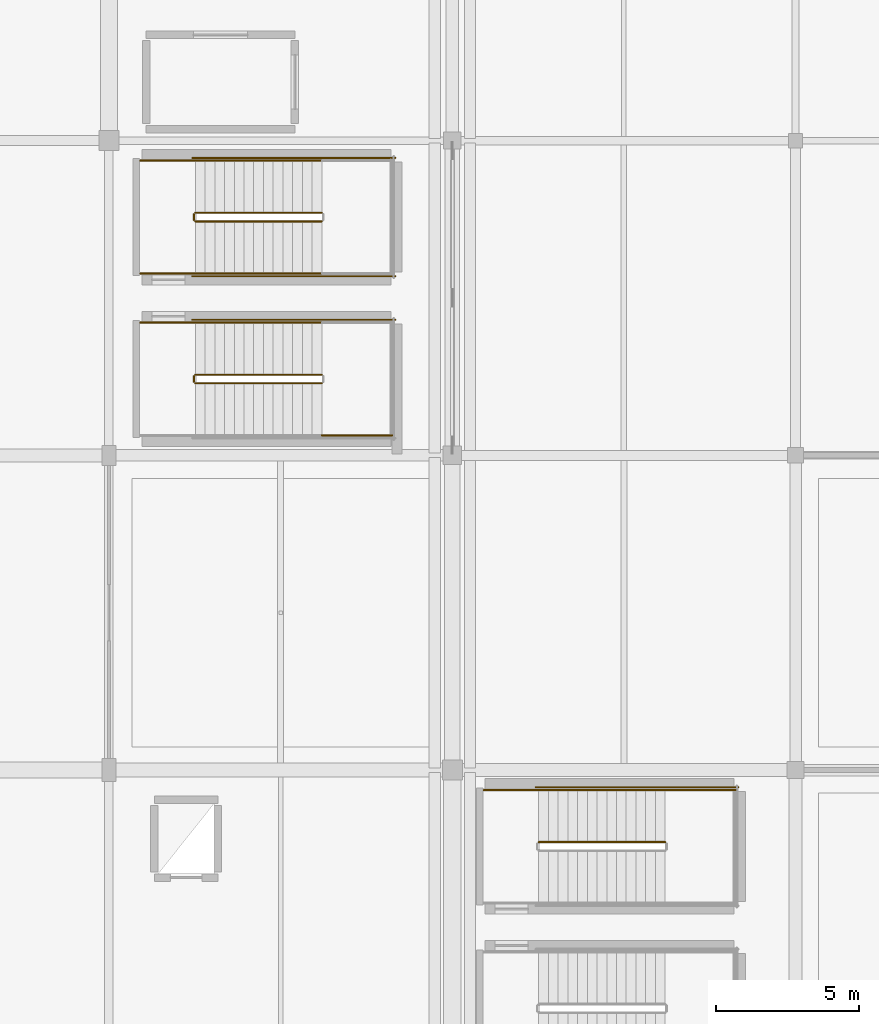
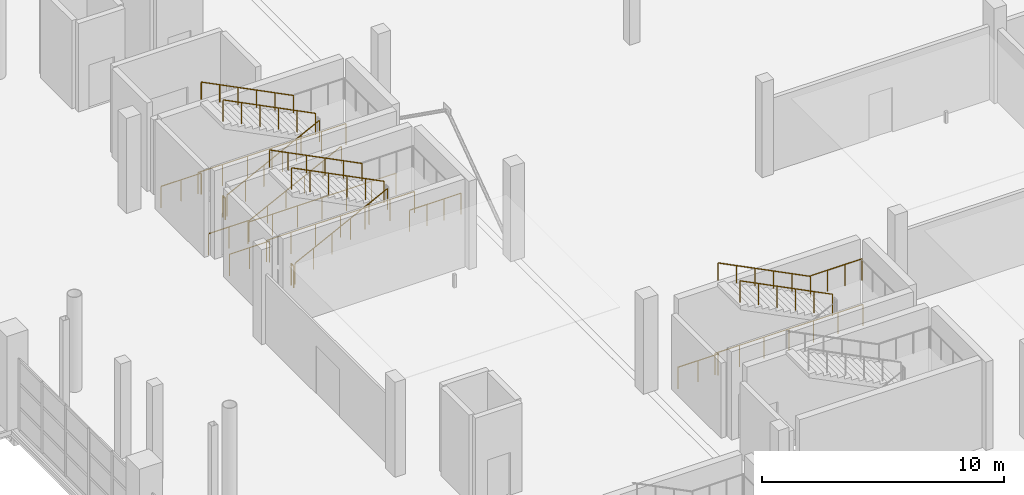
# One storey, part 140 of 143: 21 railings.
"""IFC4 building model written with IfcOpenShell, lengths in metres."""

import ifcopenshell
import ifcopenshell.guid

model = None  # the IFC model being written
_history = None  # IfcOwnerHistory: only IFC2X3 demands one
_inside = {}  # id of a spatial element -> (the spatial element, [elements in it])
_under = {}  # id of a project, library or spatial element -> (it, [spatial elements below it])
_declared = {}  # id of a project -> (the project, [libraries it declares])
_typed = {}  # id of a type object -> (the type object, [elements of that type])
_made_of = {}  # id of a material, layer set ... -> (it, [elements and type objects made of it])


def new_model(schema):
    """Start an empty IFC model of exactly this schema.

    Asked for "IFC4X3", IfcOpenShell would pick the latest addendum, in which some entities
    have other attributes; the version numbers below select the first issue.
    IFC2X3 requires an IfcOwnerHistory on every rooted entity: one is made here for all.
    """
    global model, _history
    if schema == "IFC4X3":
        model = ifcopenshell.file(schema_version=(4, 3, 0, 0))
    else:
        model = ifcopenshell.file(schema=schema)
    _inside.clear()
    _under.clear()
    _declared.clear()
    _typed.clear()
    _made_of.clear()
    _history = None
    if model.schema == "IFC2X3":
        org = make("IfcOrganization", Name="unknown")
        user = make(
            "IfcPersonAndOrganization",
            ThePerson=make("IfcPerson", FamilyName="unknown"),
            TheOrganization=org,
        )
        app = make(
            "IfcApplication",
            ApplicationDeveloper=org,
            Version="unknown",
            ApplicationFullName="unknown",
            ApplicationIdentifier="unknown",
        )
        _history = make(
            "IfcOwnerHistory",
            OwningUser=user,
            OwningApplication=app,
            ChangeAction="ADDED",
            CreationDate=0,
        )
    return model


def make(cls, **values):
    """One entity of the class cls with the attributes given. An attribute that is None is left unset."""
    return model.create_entity(
        cls, **{name: value for name, value in values.items() if value is not None}
    )


def rooted(cls, **values):
    """An entity with a GlobalId (a new one), such as an element, a storey or a relation."""
    return make(cls, GlobalId=ifcopenshell.guid.new(), OwnerHistory=_history, **values)


def si_unit(unit_type, name, prefix=None):
    """IfcSIUnit, for example si_unit("LENGTHUNIT", "METRE", prefix="MILLI")."""
    return make("IfcSIUnit", UnitType=unit_type, Prefix=prefix, Name=name)


def assignment(units):
    """IfcUnitAssignment: the units of a project."""
    return None if units is None else make("IfcUnitAssignment", Units=units)


def point(xyz):
    """IfcCartesianPoint."""
    return None if xyz is None else make("IfcCartesianPoint", Coordinates=xyz)


def direction(xyz):
    """IfcDirection."""
    return None if xyz is None else make("IfcDirection", DirectionRatios=xyz)


def frame(location, z_axis=None, x_axis=None):
    """IfcAxis2Placement3D, a coordinate frame: its origin and axes. An axis left out is left unset."""
    return make(
        "IfcAxis2Placement3D",
        Location=point(location),
        Axis=direction(z_axis),
        RefDirection=direction(x_axis),
    )


def frame_2d(location, x_axis=None):
    """IfcAxis2Placement2D, a coordinate frame in the plane: its origin and x axis."""
    return make(
        "IfcAxis2Placement2D", Location=point(location), RefDirection=direction(x_axis)
    )


def origin():
    """The frame at (0, 0, 0) with its axes left unset."""
    return frame((0.0, 0.0, 0.0))


def origin_2d():
    """The frame at (0, 0) in the plane with its x axis left unset."""
    return frame_2d((0.0, 0.0))


def place(relative_to, where):
    """IfcLocalPlacement: puts the frame where relative to a parent placement (None: the world)."""
    return make(
        "IfcLocalPlacement", PlacementRelTo=relative_to, RelativePlacement=where
    )


def context(
    kind, dimensions, precision=None, world=None, true_north=None, identifier=None
):
    """IfcGeometricRepresentationContext, for example the 3D "Model" context."""
    return make(
        "IfcGeometricRepresentationContext",
        ContextIdentifier=identifier,
        ContextType=kind,
        CoordinateSpaceDimension=dimensions,
        Precision=precision,
        WorldCoordinateSystem=world,
        TrueNorth=true_north,
    )


def subcontext(parent, identifier, kind, view, scale=None):
    """IfcGeometricRepresentationSubContext, for example "Body" below "Model"."""
    return make(
        "IfcGeometricRepresentationSubContext",
        ContextIdentifier=identifier,
        ContextType=kind,
        ParentContext=parent,
        TargetScale=scale,
        TargetView=view,
    )


def project(units=None, contexts=None):
    """IfcProject with its units and contexts."""
    return rooted(
        "IfcProject",
        Name="project",
        RepresentationContexts=contexts,
        UnitsInContext=assignment(units),
    )


def spatial(cls, under=None, at=None, **own):
    """A site, building, storey or space (cls), placed at a placement, below another one or the project."""
    s = rooted(cls, ObjectPlacement=at, **own)
    if under is not None:
        _under.setdefault(under.id(), (under, []))[1].append(s)
    return s


def profile(cls, at=None, kind="AREA", **sizes):
    """A parametric profile (cls). Its sizes go by their IFC names, for example OverallWidth=200.0."""
    return make(cls, ProfileType=kind, Position=at, **sizes)


def circle(**sizes):
    """IfcCircleProfileDef."""
    return profile("IfcCircleProfileDef", **sizes)


def extrude(swept, where, along, depth):
    """IfcExtrudedAreaSolid: the profile swept, set in the frame where, extruded along a direction by depth."""
    return make(
        "IfcExtrudedAreaSolid",
        SweptArea=swept,
        Position=where,
        ExtrudedDirection=direction(along),
        Depth=depth,
    )


def shape(context_of_items, identifier, shape_type, items):
    """IfcShapeRepresentation: the items that make up one representation, for example the "Body"."""
    return make(
        "IfcShapeRepresentation",
        ContextOfItems=context_of_items,
        RepresentationIdentifier=identifier,
        RepresentationType=shape_type,
        Items=items,
    )


def material(Name=None, Category=None):
    """IfcMaterial."""
    return make("IfcMaterial", Name=Name, Category=Category)


def made_of(thing, what):
    """Note that an element or type object is made of a material, layer set ...; save() writes the relation."""
    if what is not None:
        _made_of.setdefault(what.id(), (what, []))[1].append(thing)
    return thing


def type_object(cls, material=None, **own):
    """A type object (cls), such as IfcWallType, which elements share."""
    return made_of(rooted(cls, **own), material)


def element(
    cls,
    number,
    at=None,
    inside=None,
    cuts=None,
    type_object=None,
    material=None,
    context=None,
    identifier="Body",
    shape_type=None,
    held_by="IfcProductDefinitionShape",
    body=None,
    shapes=None,
    **own,
):
    """One element of the class cls, such as IfcWall. Its Tag is "e" and its number.

    at: its placement. inside: the storey or other place that contains it. cuts: it is an
    opening in that element (IfcRelVoidsElement). A single representation is given by context,
    identifier, shape_type and body (its items); several are given by shapes. held_by: the class
    of the entity that holds the representations. save() writes the other relations.
    """
    e = rooted(cls, Tag="e%d" % number, ObjectPlacement=at, **own)
    if body is not None:
        shapes = [shape(context, identifier, shape_type, body)]
    if shapes is not None:
        e.Representation = make(held_by, Representations=shapes)
    if inside is not None:
        _inside.setdefault(inside.id(), (inside, []))[1].append(e)
    if cuts is not None:
        rooted(
            "IfcRelVoidsElement", RelatingBuildingElement=cuts, RelatedOpeningElement=e
        )
    if type_object is not None:
        _typed.setdefault(type_object.id(), (type_object, []))[1].append(e)
    return made_of(e, material)


def aggregate(whole, parts):
    """IfcRelAggregates: a whole, such as a stair, and the parts it consists of."""
    return rooted("IfcRelAggregates", RelatingObject=whole, RelatedObjects=parts)


def save(model, path):
    """Write the relations noted so far, then the file.

    IfcRelAggregates (storeys below a building ...), IfcRelContainedInSpatialStructure (elements
    in a storey), IfcRelDefinesByType, IfcRelAssociatesMaterial and IfcRelDeclares: one each for
    every whole, place, type object, material and project.
    """
    for whole, parts in _under.values():
        aggregate(whole, parts)
    for where, things in _inside.values():
        rooted(
            "IfcRelContainedInSpatialStructure",
            RelatedElements=things,
            RelatingStructure=where,
        )
    for kind, things in _typed.values():
        rooted("IfcRelDefinesByType", RelatedObjects=things, RelatingType=kind)
    for what, things in _made_of.values():
        rooted("IfcRelAssociatesMaterial", RelatedObjects=things, RelatingMaterial=what)
    for by, libraries in _declared.values():
        rooted("IfcRelDeclares", RelatingContext=by, RelatedDefinitions=libraries)
    model.write(path)


model = new_model("IFC4")

# Units and contexts
model_context = context("Model", 3, precision=1e-05, world=origin(), true_north=direction((0.0, 1.0)))
body_context = subcontext(model_context, "Body", "Model", "MODEL_VIEW")
ifc_project = project(units=[si_unit("LENGTHUNIT", "METRE"), si_unit("AREAUNIT", "SQUARE_METRE"), si_unit("VOLUMEUNIT", "CUBIC_METRE"), si_unit("PLANEANGLEUNIT", "RADIAN"), si_unit("MASSUNIT", "GRAM", prefix="KILO")], contexts=[model_context])

# Site, building, storey
site_placement = place(None, origin())
site = spatial("IfcSite", under=ifc_project, at=site_placement, CompositionType="ELEMENT")
building_placement = place(site_placement, origin())
building = spatial("IfcBuilding", under=site, at=building_placement, Name="Luwafu Chhajja Arena", CompositionType="ELEMENT")
storey_placement = place(building_placement, frame((0.0, 0.0, 5.39990234375)))
storey = spatial("IfcBuildingStorey", under=building, at=storey_placement, Name="L01", CompositionType="ELEMENT", Elevation=5.39990234375)

# Railings
ifc_material_1 = material(Name="Stainless steel handrail", Category="steel")
railing_type_1 = type_object("IfcRailingType", Name="Stair Pitch Wall Handrail 920", PredefinedType="HANDRAIL", material=ifc_material_1)
railing_1_placement = place(storey_placement, frame((159.43994140625, 81.639892578125, 2.571533203125)))
element("IfcRailing", 1, at=railing_1_placement, inside=storey, type_object=railing_type_1, Name="L01 ST-07 stair handrail 2", PredefinedType="HANDRAIL", context=body_context, shape_type="SweptSolid", body=[
    extrude(circle(Radius=0.02392578125, at=origin_2d()), frame((0.0, 0.0, 0.8759765625), z_axis=(-0.89292277971, 0.0, 0.450209850486), x_axis=(0.0, -1.0, 0.0)), (0.0, 0.0, 1.0), 4.949951171875),
    extrude(circle(Radius=0.02099609375, at=origin_2d()), origin(), (0.0, 0.0, 1.0), 0.851806640625),
    extrude(circle(Radius=0.02099609375, at=origin_2d()), frame((-0.884033203125, 0.0, 0.44580078125)), (0.0, 0.0, 1.0), 0.851806640625),
    extrude(circle(Radius=0.02099609375, at=origin_2d()), frame((-1.76806640625, 0.0, 0.891357421875)), (0.0, 0.0, 1.0), 0.851806640625),
    extrude(circle(Radius=0.02099609375, at=origin_2d()), frame((-2.65185546875, 0.0, 1.337158203125)), (0.0, 0.0, 1.0), 0.851806640625),
    extrude(circle(Radius=0.02099609375, at=origin_2d()), frame((-3.535888671875, 0.0, 1.78271484375)), (0.0, 0.0, 1.0), 0.851806640625),
    extrude(circle(Radius=0.02099609375, at=origin_2d()), frame((-4.419921875, 0.0, 2.228515625)), (0.0, 0.0, 1.0), 0.851806640625),
])
railing_2_placement = place(storey_placement, frame((155.02001953125, 83.360107421875, 0.171630859375)))
element("IfcRailing", 2, at=railing_2_placement, inside=storey, type_object=railing_type_1, Name="L01 ST-08 stair handrail 1", PredefinedType="HANDRAIL", context=body_context, shape_type="SweptSolid", body=[
    extrude(circle(Radius=0.02392578125, at=origin_2d()), frame((0.0, 0.0, 0.8759765625), z_axis=(0.89292277971, 0.0, 0.450209850486), x_axis=(0.0, 1.0, 0.0)), (0.0, 0.0, 1.0), 4.949951171875),
    extrude(circle(Radius=0.02099609375, at=origin_2d()), origin(), (0.0, 0.0, 1.0), 0.851806640625),
    extrude(circle(Radius=0.02099609375, at=origin_2d()), frame((0.884033203125, 0.0, 0.44580078125)), (0.0, 0.0, 1.0), 0.851806640625),
    extrude(circle(Radius=0.02099609375, at=origin_2d()), frame((1.76806640625, 0.0, 0.891357421875)), (0.0, 0.0, 1.0), 0.851806640625),
    extrude(circle(Radius=0.02099609375, at=origin_2d()), frame((2.65185546875, 0.0, 1.337158203125)), (0.0, 0.0, 1.0), 0.851806640625),
    extrude(circle(Radius=0.02099609375, at=origin_2d()), frame((3.535888671875, 0.0, 1.78271484375)), (0.0, 0.0, 1.0), 0.851806640625),
    extrude(circle(Radius=0.02099609375, at=origin_2d()), frame((4.419921875, 0.0, 2.228515625)), (0.0, 0.0, 1.0), 0.851806640625),
])
for number, where, name in (
    (3, (159.43994140625, 87.300048828125, 2.571533203125), "L01 ST-08 stair handrail 2"),
    (4, (171.43994140625, 65.300048828125, 2.571533203125), "L01 ST-20 stair handrail 2"),
):
    element("IfcRailing", number, at=place(storey_placement, frame(where)), inside=storey, type_object=railing_type_1, Name=name, PredefinedType="HANDRAIL", context=body_context, shape_type="SweptSolid", body=[
        extrude(circle(Radius=0.02392578125, at=origin_2d()), frame((0.0, 0.0, 0.8759765625), z_axis=(-0.89292277971, 0.0, 0.450209850486), x_axis=(0.0, -1.0, 0.0)), (0.0, 0.0, 1.0), 4.949951171875),
        extrude(circle(Radius=0.02099609375, at=origin_2d()), origin(), (0.0, 0.0, 1.0), 0.851806640625),
        extrude(circle(Radius=0.02099609375, at=origin_2d()), frame((-0.884033203125, 0.0, 0.44580078125)), (0.0, 0.0, 1.0), 0.851806640625),
        extrude(circle(Radius=0.02099609375, at=origin_2d()), frame((-1.76806640625, 0.0, 0.891357421875)), (0.0, 0.0, 1.0), 0.851806640625),
        extrude(circle(Radius=0.02099609375, at=origin_2d()), frame((-2.65185546875, 0.0, 1.337158203125)), (0.0, 0.0, 1.0), 0.851806640625),
        extrude(circle(Radius=0.02099609375, at=origin_2d()), frame((-3.535888671875, 0.0, 1.78271484375)), (0.0, 0.0, 1.0), 0.851806640625),
        extrude(circle(Radius=0.02099609375, at=origin_2d()), frame((-4.419921875, 0.0, 2.228515625)), (0.0, 0.0, 1.0), 0.851806640625),
    ])
ifc_material_2 = material(Name="Stainless steel balustrade", Category="steel")
railing_type_2 = type_object("IfcRailingType", Name="Stair and Terrace Guard Balustrade 1100", PredefinedType="BALUSTRADE", material=ifc_material_2)
railing_3_placement = place(storey_placement, frame((155.02001953125, 79.52001953125, 0.171630859375)))
element("IfcRailing", 5, at=railing_3_placement, inside=storey, type_object=railing_type_2, Name="L01 ST-07 stair guard 1", PredefinedType="BALUSTRADE", context=body_context, shape_type="SweptSolid", body=[
    extrude(circle(Radius=0.02392578125, at=origin_2d()), frame((0.0, 0.0, 1.076171875), z_axis=(0.89292277971, 0.0, 0.450209850486), x_axis=(0.0, 1.0, 0.0)), (0.0, 0.0, 1.0), 4.949951171875),
    extrude(circle(Radius=0.02099609375, at=origin_2d()), origin(), (0.0, 0.0, 1.0), 1.052001953125),
    extrude(circle(Radius=0.02099609375, at=origin_2d()), frame((0.884033203125, 0.0, 0.44580078125)), (0.0, 0.0, 1.0), 1.052001953125),
    extrude(circle(Radius=0.02099609375, at=origin_2d()), frame((1.76806640625, 0.0, 0.891357421875)), (0.0, 0.0, 1.0), 1.052001953125),
    extrude(circle(Radius=0.02099609375, at=origin_2d()), frame((2.65185546875, 0.0, 1.337158203125)), (0.0, 0.0, 1.0), 1.052001953125),
    extrude(circle(Radius=0.02099609375, at=origin_2d()), frame((3.535888671875, 0.0, 1.78271484375)), (0.0, 0.0, 1.0), 1.052001953125),
    extrude(circle(Radius=0.02099609375, at=origin_2d()), frame((4.419921875, 0.0, 2.228515625)), (0.0, 0.0, 1.0), 1.052001953125),
])
railing_4_placement = place(storey_placement, frame((159.43994140625, 77.699951171875, 2.400146484375)))
element("IfcRailing", 6, at=railing_4_placement, inside=storey, type_object=railing_type_2, Name="L01 ST-07 stair guard 3", PredefinedType="BALUSTRADE", context=body_context, shape_type="SweptSolid", body=[
    extrude(circle(Radius=0.02392578125, at=origin_2d()), frame((0.0, 0.0, 1.076171875), z_axis=(1.0, 0.0, 0.0), x_axis=(0.0, 1.0, 0.0)), (0.0, 0.0, 1.0), 2.4599609375),
    extrude(circle(Radius=0.02099609375, at=origin_2d()), origin(), (0.0, 0.0, 1.0), 1.052001953125),
    extrude(circle(Radius=0.02099609375, at=origin_2d()), frame((0.820068359375, 0.0, 0.0)), (0.0, 0.0, 1.0), 1.052001953125),
    extrude(circle(Radius=0.02099609375, at=origin_2d()), frame((1.639892578125, 0.0, 0.0)), (0.0, 0.0, 1.0), 1.052001953125),
    extrude(circle(Radius=0.02099609375, at=origin_2d()), frame((2.4599609375, 0.0, 0.0)), (0.0, 0.0, 1.0), 1.052001953125),
])
railing_5_placement = place(storey_placement, frame((159.43994140625, 79.820068359375, 2.571533203125)))
element("IfcRailing", 7, at=railing_5_placement, inside=storey, type_object=railing_type_2, Name="L01 ST-07 stair guard 6", PredefinedType="BALUSTRADE", context=body_context, shape_type="SweptSolid", body=[
    extrude(circle(Radius=0.02392578125, at=origin_2d()), frame((0.0, 0.0, 1.076171875), z_axis=(-0.89292277971, 0.0, 0.450209850486), x_axis=(0.0, -1.0, 0.0)), (0.0, 0.0, 1.0), 4.949951171875),
    extrude(circle(Radius=0.02099609375, at=origin_2d()), origin(), (0.0, 0.0, 1.0), 1.052001953125),
    extrude(circle(Radius=0.02099609375, at=origin_2d()), frame((-0.884033203125, 0.0, 0.44580078125)), (0.0, 0.0, 1.0), 1.052001953125),
    extrude(circle(Radius=0.02099609375, at=origin_2d()), frame((-1.76806640625, 0.0, 0.891357421875)), (0.0, 0.0, 1.0), 1.052001953125),
    extrude(circle(Radius=0.02099609375, at=origin_2d()), frame((-2.65185546875, 0.0, 1.337158203125)), (0.0, 0.0, 1.0), 1.052001953125),
    extrude(circle(Radius=0.02099609375, at=origin_2d()), frame((-3.535888671875, 0.0, 1.78271484375)), (0.0, 0.0, 1.0), 1.052001953125),
    extrude(circle(Radius=0.02099609375, at=origin_2d()), frame((-4.419921875, 0.0, 2.228515625)), (0.0, 0.0, 1.0), 1.052001953125),
])
railing_6_placement = place(storey_placement, frame((154.969970703125, 79.570068359375, 0.0)))
element("IfcRailing", 8, at=railing_6_placement, inside=storey, type_object=railing_type_2, Name="L01 ST-07 stair guard 7", PredefinedType="BALUSTRADE", context=body_context, shape_type="SweptSolid", body=[
    extrude(circle(Radius=0.02392578125, at=origin_2d()), frame((0.0, 0.0, 1.076171875), z_axis=(0.0, 1.0, 0.0), x_axis=(-1.0, 0.0, 0.0)), (0.0, 0.0, 1.0), 0.199951171875),
    extrude(circle(Radius=0.02099609375, at=origin_2d()), origin(), (0.0, 0.0, 1.0), 1.052001953125),
    extrude(circle(Radius=0.02099609375, at=origin_2d()), frame((0.0, 0.199951171875, 0.0)), (0.0, 0.0, 1.0), 1.052001953125),
])
railing_7_placement = place(storey_placement, frame((153.10009765625, 81.639892578125, 0.0)))
element("IfcRailing", 9, at=railing_7_placement, inside=storey, type_object=railing_type_2, Name="L01 ST-07 stair guard 9", PredefinedType="BALUSTRADE", context=body_context, shape_type="SweptSolid", body=[
    extrude(circle(Radius=0.02392578125, at=origin_2d()), frame((0.0, 0.0, 1.076171875), z_axis=(1.0, 0.0, 0.0), x_axis=(0.0, 1.0, 0.0)), (0.0, 0.0, 1.0), 1.919921875),
    extrude(circle(Radius=0.02099609375, at=origin_2d()), origin(), (0.0, 0.0, 1.0), 1.052001953125),
    extrude(circle(Radius=0.02099609375, at=origin_2d()), frame((0.9599609375, 0.0, 0.0)), (0.0, 0.0, 1.0), 1.052001953125),
    extrude(circle(Radius=0.02099609375, at=origin_2d()), frame((1.919921875, 0.0, 0.0)), (0.0, 0.0, 1.0), 1.052001953125),
])
railing_8_placement = place(storey_placement, frame((154.919921875, 81.739990234375, 0.0)))
element("IfcRailing", 10, at=railing_8_placement, inside=storey, type_object=railing_type_2, Name="L01 ST-07 stair guard 11", PredefinedType="BALUSTRADE", context=body_context, shape_type="SweptSolid", body=[
    extrude(circle(Radius=0.02392578125, at=origin_2d()), frame((0.0, 0.0, 1.076171875), z_axis=(1.0, 0.0, 0.0), x_axis=(0.0, 1.0, 0.0)), (0.0, 0.0, 1.0), 7.080078125),
    extrude(circle(Radius=0.02099609375, at=origin_2d()), origin(), (0.0, 0.0, 1.0), 1.052001953125),
    extrude(circle(Radius=0.02099609375, at=origin_2d()), frame((1.179931640625, 0.0, 0.0)), (0.0, 0.0, 1.0), 1.052001953125),
    extrude(circle(Radius=0.02099609375, at=origin_2d()), frame((2.360107421875, 0.0, 0.0)), (0.0, 0.0, 1.0), 1.052001953125),
    extrude(circle(Radius=0.02099609375, at=origin_2d()), frame((3.5400390625, 0.0, 0.0)), (0.0, 0.0, 1.0), 1.052001953125),
    extrude(circle(Radius=0.02099609375, at=origin_2d()), frame((4.719970703125, 0.0, 0.0)), (0.0, 0.0, 1.0), 1.052001953125),
    extrude(circle(Radius=0.02099609375, at=origin_2d()), frame((5.900146484375, 0.0, 0.0)), (0.0, 0.0, 1.0), 1.052001953125),
    extrude(circle(Radius=0.02099609375, at=origin_2d()), frame((7.080078125, 0.0, 0.0)), (0.0, 0.0, 1.0), 1.052001953125),
])
railing_9_placement = place(storey_placement, frame((155.02001953125, 85.179931640625, 0.171630859375)))
element("IfcRailing", 11, at=railing_9_placement, inside=storey, type_object=railing_type_2, Name="L01 ST-08 stair guard 1", PredefinedType="BALUSTRADE", context=body_context, shape_type="SweptSolid", body=[
    extrude(circle(Radius=0.02392578125, at=origin_2d()), frame((0.0, 0.0, 1.076171875), z_axis=(0.89292277971, 0.0, 0.450209850486), x_axis=(0.0, 1.0, 0.0)), (0.0, 0.0, 1.0), 4.949951171875),
    extrude(circle(Radius=0.02099609375, at=origin_2d()), origin(), (0.0, 0.0, 1.0), 1.052001953125),
    extrude(circle(Radius=0.02099609375, at=origin_2d()), frame((0.884033203125, 0.0, 0.44580078125)), (0.0, 0.0, 1.0), 1.052001953125),
    extrude(circle(Radius=0.02099609375, at=origin_2d()), frame((1.76806640625, 0.0, 0.891357421875)), (0.0, 0.0, 1.0), 1.052001953125),
    extrude(circle(Radius=0.02099609375, at=origin_2d()), frame((2.65185546875, 0.0, 1.337158203125)), (0.0, 0.0, 1.0), 1.052001953125),
    extrude(circle(Radius=0.02099609375, at=origin_2d()), frame((3.535888671875, 0.0, 1.78271484375)), (0.0, 0.0, 1.0), 1.052001953125),
    extrude(circle(Radius=0.02099609375, at=origin_2d()), frame((4.419921875, 0.0, 2.228515625)), (0.0, 0.0, 1.0), 1.052001953125),
])
railing_10_placement = place(storey_placement, frame((159.43994140625, 85.47998046875, 2.571533203125)))
element("IfcRailing", 12, at=railing_10_placement, inside=storey, type_object=railing_type_2, Name="L01 ST-08 stair guard 6", PredefinedType="BALUSTRADE", context=body_context, shape_type="SweptSolid", body=[
    extrude(circle(Radius=0.02392578125, at=origin_2d()), frame((0.0, 0.0, 1.076171875), z_axis=(-0.89292277971, 0.0, 0.450209850486), x_axis=(0.0, -1.0, 0.0)), (0.0, 0.0, 1.0), 4.949951171875),
    extrude(circle(Radius=0.02099609375, at=origin_2d()), origin(), (0.0, 0.0, 1.0), 1.052001953125),
    extrude(circle(Radius=0.02099609375, at=origin_2d()), frame((-0.884033203125, 0.0, 0.44580078125)), (0.0, 0.0, 1.0), 1.052001953125),
    extrude(circle(Radius=0.02099609375, at=origin_2d()), frame((-1.76806640625, 0.0, 0.891357421875)), (0.0, 0.0, 1.0), 1.052001953125),
    extrude(circle(Radius=0.02099609375, at=origin_2d()), frame((-2.65185546875, 0.0, 1.337158203125)), (0.0, 0.0, 1.0), 1.052001953125),
    extrude(circle(Radius=0.02099609375, at=origin_2d()), frame((-3.535888671875, 0.0, 1.78271484375)), (0.0, 0.0, 1.0), 1.052001953125),
    extrude(circle(Radius=0.02099609375, at=origin_2d()), frame((-4.419921875, 0.0, 2.228515625)), (0.0, 0.0, 1.0), 1.052001953125),
])
railing_11_placement = place(storey_placement, frame((154.969970703125, 85.22998046875, 0.0)))
element("IfcRailing", 13, at=railing_11_placement, inside=storey, type_object=railing_type_2, Name="L01 ST-08 stair guard 7", PredefinedType="BALUSTRADE", context=body_context, shape_type="SweptSolid", body=[
    extrude(circle(Radius=0.02392578125, at=origin_2d()), frame((0.0, 0.0, 1.076171875), z_axis=(0.0, 1.0, 0.0), x_axis=(-1.0, 0.0, 0.0)), (0.0, 0.0, 1.0), 0.199951171875),
    extrude(circle(Radius=0.02099609375, at=origin_2d()), origin(), (0.0, 0.0, 1.0), 1.052001953125),
    extrude(circle(Radius=0.02099609375, at=origin_2d()), frame((0.0, 0.199951171875, 0.0)), (0.0, 0.0, 1.0), 1.052001953125),
])
for number, where, name in (
    (14, (153.10009765625, 83.360107421875, 0.0), "L01 ST-08 stair guard 8"),
    (15, (153.10009765625, 87.300048828125, 0.0), "L01 ST-08 stair guard 9"),
):
    element("IfcRailing", number, at=place(storey_placement, frame(where)), inside=storey, type_object=railing_type_2, Name=name, PredefinedType="BALUSTRADE", context=body_context, shape_type="SweptSolid", body=[
        extrude(circle(Radius=0.02392578125, at=origin_2d()), frame((0.0, 0.0, 1.076171875), z_axis=(1.0, 0.0, 0.0), x_axis=(0.0, 1.0, 0.0)), (0.0, 0.0, 1.0), 1.919921875),
        extrude(circle(Radius=0.02099609375, at=origin_2d()), origin(), (0.0, 0.0, 1.0), 1.052001953125),
        extrude(circle(Radius=0.02099609375, at=origin_2d()), frame((0.9599609375, 0.0, 0.0)), (0.0, 0.0, 1.0), 1.052001953125),
        extrude(circle(Radius=0.02099609375, at=origin_2d()), frame((1.919921875, 0.0, 0.0)), (0.0, 0.0, 1.0), 1.052001953125),
    ])
for number, where, name in (
    (16, (154.919921875, 83.260009765625, 0.0), "L01 ST-08 stair guard 10"),
    (17, (154.919921875, 87.39990234375, 0.0), "L01 ST-08 stair guard 11"),
):
    element("IfcRailing", number, at=place(storey_placement, frame(where)), inside=storey, type_object=railing_type_2, Name=name, PredefinedType="BALUSTRADE", context=body_context, shape_type="SweptSolid", body=[
        extrude(circle(Radius=0.02392578125, at=origin_2d()), frame((0.0, 0.0, 1.076171875), z_axis=(1.0, 0.0, 0.0), x_axis=(0.0, 1.0, 0.0)), (0.0, 0.0, 1.0), 7.080078125),
        extrude(circle(Radius=0.02099609375, at=origin_2d()), origin(), (0.0, 0.0, 1.0), 1.052001953125),
        extrude(circle(Radius=0.02099609375, at=origin_2d()), frame((1.179931640625, 0.0, 0.0)), (0.0, 0.0, 1.0), 1.052001953125),
        extrude(circle(Radius=0.02099609375, at=origin_2d()), frame((2.360107421875, 0.0, 0.0)), (0.0, 0.0, 1.0), 1.052001953125),
        extrude(circle(Radius=0.02099609375, at=origin_2d()), frame((3.5400390625, 0.0, 0.0)), (0.0, 0.0, 1.0), 1.052001953125),
        extrude(circle(Radius=0.02099609375, at=origin_2d()), frame((4.719970703125, 0.0, 0.0)), (0.0, 0.0, 1.0), 1.052001953125),
        extrude(circle(Radius=0.02099609375, at=origin_2d()), frame((5.900146484375, 0.0, 0.0)), (0.0, 0.0, 1.0), 1.052001953125),
        extrude(circle(Radius=0.02099609375, at=origin_2d()), frame((7.080078125, 0.0, 0.0)), (0.0, 0.0, 1.0), 1.052001953125),
    ])
railing_12_placement = place(storey_placement, frame((171.43994140625, 65.300048828125, 2.400146484375)))
element("IfcRailing", 18, at=railing_12_placement, inside=storey, type_object=railing_type_2, Name="L01 ST-20 stair guard 4", PredefinedType="BALUSTRADE", context=body_context, shape_type="SweptSolid", body=[
    extrude(circle(Radius=0.02392578125, at=origin_2d()), frame((0.0, 0.0, 1.076171875), z_axis=(1.0, 0.0, 0.0), x_axis=(0.0, 1.0, 0.0)), (0.0, 0.0, 1.0), 2.4599609375),
    extrude(circle(Radius=0.02099609375, at=origin_2d()), origin(), (0.0, 0.0, 1.0), 1.052001953125),
    extrude(circle(Radius=0.02099609375, at=origin_2d()), frame((0.820068359375, 0.0, 0.0)), (0.0, 0.0, 1.0), 1.052001953125),
    extrude(circle(Radius=0.02099609375, at=origin_2d()), frame((1.639892578125, 0.0, 0.0)), (0.0, 0.0, 1.0), 1.052001953125),
    extrude(circle(Radius=0.02099609375, at=origin_2d()), frame((2.4599609375, 0.0, 0.0)), (0.0, 0.0, 1.0), 1.052001953125),
])
railing_13_placement = place(storey_placement, frame((171.43994140625, 63.47998046875, 2.571533203125)))
element("IfcRailing", 19, at=railing_13_placement, inside=storey, type_object=railing_type_2, Name="L01 ST-20 stair guard 6", PredefinedType="BALUSTRADE", context=body_context, shape_type="SweptSolid", body=[
    extrude(circle(Radius=0.02392578125, at=origin_2d()), frame((0.0, 0.0, 1.076171875), z_axis=(-0.89292277971, 0.0, 0.450209850486), x_axis=(0.0, -1.0, 0.0)), (0.0, 0.0, 1.0), 4.949951171875),
    extrude(circle(Radius=0.02099609375, at=origin_2d()), origin(), (0.0, 0.0, 1.0), 1.052001953125),
    extrude(circle(Radius=0.02099609375, at=origin_2d()), frame((-0.884033203125, 0.0, 0.44580078125)), (0.0, 0.0, 1.0), 1.052001953125),
    extrude(circle(Radius=0.02099609375, at=origin_2d()), frame((-1.76806640625, 0.0, 0.891357421875)), (0.0, 0.0, 1.0), 1.052001953125),
    extrude(circle(Radius=0.02099609375, at=origin_2d()), frame((-2.65185546875, 0.0, 1.337158203125)), (0.0, 0.0, 1.0), 1.052001953125),
    extrude(circle(Radius=0.02099609375, at=origin_2d()), frame((-3.535888671875, 0.0, 1.78271484375)), (0.0, 0.0, 1.0), 1.052001953125),
    extrude(circle(Radius=0.02099609375, at=origin_2d()), frame((-4.419921875, 0.0, 2.228515625)), (0.0, 0.0, 1.0), 1.052001953125),
])
railing_14_placement = place(storey_placement, frame((165.10009765625, 65.300048828125, 0.0)))
element("IfcRailing", 20, at=railing_14_placement, inside=storey, type_object=railing_type_2, Name="L01 ST-20 stair guard 9", PredefinedType="BALUSTRADE", context=body_context, shape_type="SweptSolid", body=[
    extrude(circle(Radius=0.02392578125, at=origin_2d()), frame((0.0, 0.0, 1.076171875), z_axis=(1.0, 0.0, 0.0), x_axis=(0.0, 1.0, 0.0)), (0.0, 0.0, 1.0), 1.919921875),
    extrude(circle(Radius=0.02099609375, at=origin_2d()), origin(), (0.0, 0.0, 1.0), 1.052001953125),
    extrude(circle(Radius=0.02099609375, at=origin_2d()), frame((0.9599609375, 0.0, 0.0)), (0.0, 0.0, 1.0), 1.052001953125),
    extrude(circle(Radius=0.02099609375, at=origin_2d()), frame((1.919921875, 0.0, 0.0)), (0.0, 0.0, 1.0), 1.052001953125),
])
railing_15_placement = place(storey_placement, frame((166.919921875, 65.39990234375, 0.0)))
element("IfcRailing", 21, at=railing_15_placement, inside=storey, type_object=railing_type_2, Name="L01 ST-20 stair guard 11", PredefinedType="BALUSTRADE", context=body_context, shape_type="SweptSolid", body=[
    extrude(circle(Radius=0.02392578125, at=origin_2d()), frame((0.0, 0.0, 1.076171875), z_axis=(1.0, 0.0, 0.0), x_axis=(0.0, 1.0, 0.0)), (0.0, 0.0, 1.0), 7.080078125),
    extrude(circle(Radius=0.02099609375, at=origin_2d()), origin(), (0.0, 0.0, 1.0), 1.052001953125),
    extrude(circle(Radius=0.02099609375, at=origin_2d()), frame((1.179931640625, 0.0, 0.0)), (0.0, 0.0, 1.0), 1.052001953125),
    extrude(circle(Radius=0.02099609375, at=origin_2d()), frame((2.360107421875, 0.0, 0.0)), (0.0, 0.0, 1.0), 1.052001953125),
    extrude(circle(Radius=0.02099609375, at=origin_2d()), frame((3.5400390625, 0.0, 0.0)), (0.0, 0.0, 1.0), 1.052001953125),
    extrude(circle(Radius=0.02099609375, at=origin_2d()), frame((4.719970703125, 0.0, 0.0)), (0.0, 0.0, 1.0), 1.052001953125),
    extrude(circle(Radius=0.02099609375, at=origin_2d()), frame((5.900146484375, 0.0, 0.0)), (0.0, 0.0, 1.0), 1.052001953125),
    extrude(circle(Radius=0.02099609375, at=origin_2d()), frame((7.080078125, 0.0, 0.0)), (0.0, 0.0, 1.0), 1.052001953125),
])

save(model, "model.ifc")
